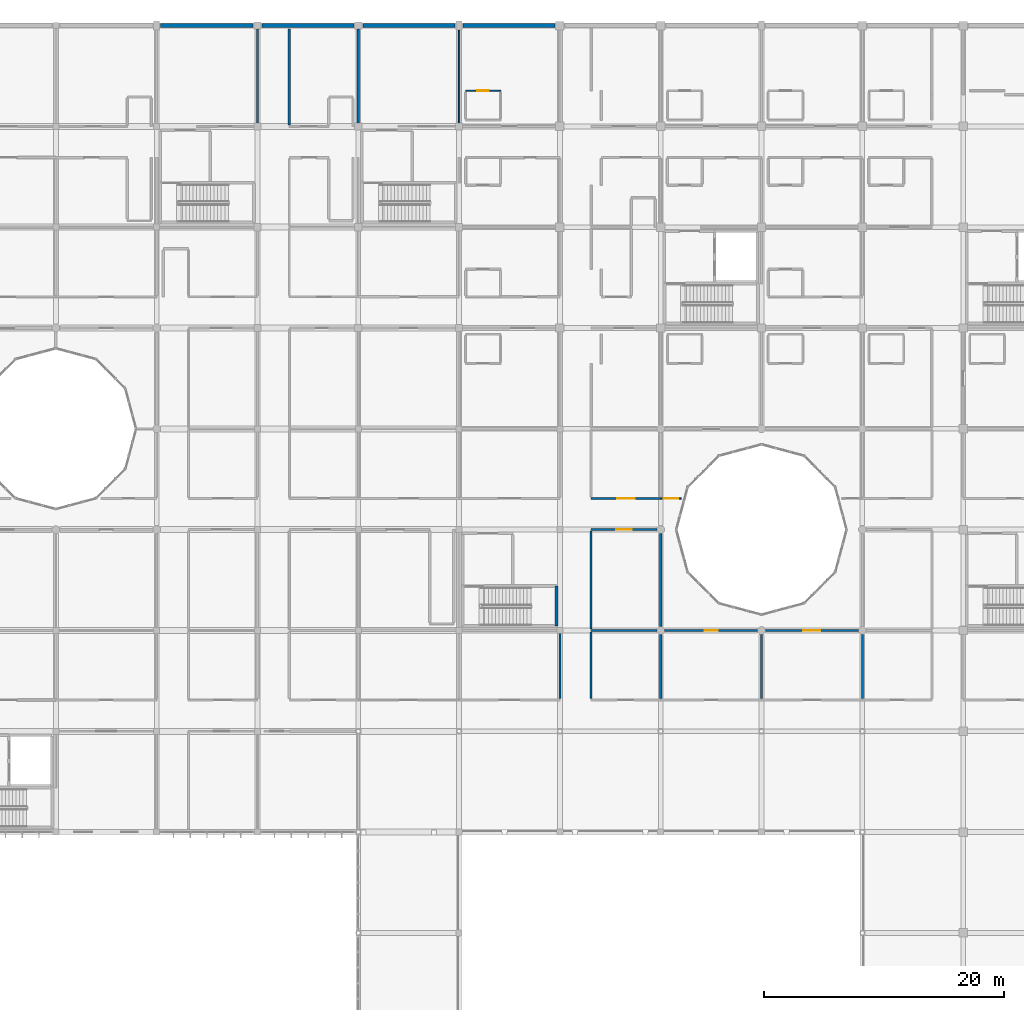
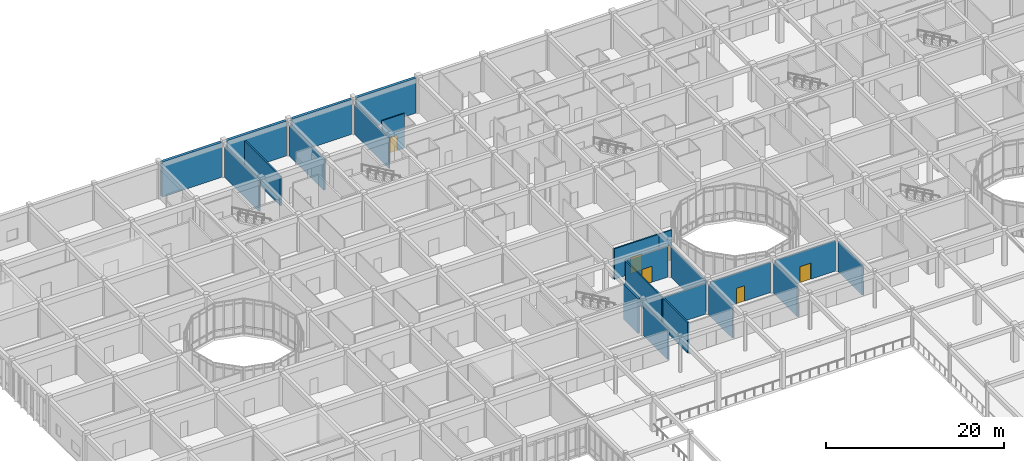
# One storey, part 101 of 134: 23 walls, 6 doors, 6 openings.
"""IFC4 building model written with IfcOpenShell, lengths in metres."""

from ifc_helpers import new_model, si_unit, direction, frame, frame_2d, origin, place, context, subcontext, project, spatial, rectangle, extrude, material, layer, layer_set, type_object, element, fill, save


model = new_model("IFC4")

# Units and contexts
model_context = context("Model", 3, precision=1e-05, world=origin(), true_north=direction((0.0, 1.0)))
body_context = subcontext(model_context, "Body", "Model", "MODEL_VIEW")
ifc_project = project(units=[si_unit("LENGTHUNIT", "METRE"), si_unit("AREAUNIT", "SQUARE_METRE"), si_unit("VOLUMEUNIT", "CUBIC_METRE"), si_unit("PLANEANGLEUNIT", "RADIAN"), si_unit("MASSUNIT", "GRAM", prefix="KILO")], contexts=[model_context])

# Site, building, storey
site_placement = place(None, origin())
site = spatial("IfcSite", under=ifc_project, at=site_placement, CompositionType="ELEMENT")
building_placement = place(site_placement, origin())
building = spatial("IfcBuilding", under=site, at=building_placement, Name="Bramfleet General Hospital", CompositionType="ELEMENT")
storey_placement = place(building_placement, frame((0.0, 0.0, 9.300048828125)))
storey = spatial("IfcBuildingStorey", under=building, at=storey_placement, Name="L02", CompositionType="ELEMENT", Elevation=9.300048828125)

# Walls
ifc_material_1 = material(Name="Concrete C35/45", Category="concrete")
ifc_layer_1 = layer(ifc_material_1, 0.360107421875, Name="WT-EW-02")
ifc_layer_set_1 = layer_set([ifc_layer_1], Name="Concrete C35/45")
wall_type_1 = type_object("IfcWallType", Name="WT-EW-02", PredefinedType="SOLIDWALL", material=ifc_layer_set_1)
wall_1_placement = place(storey_placement, frame((33.925048828125, 117.60009765625, 0.0), z_axis=(0.0, 0.0, 1.0), x_axis=(1.0, 0.0, 0.0)))
element("IfcWall", 1, at=wall_1_placement, inside=storey, type_object=wall_type_1, Name="L02 North REI 90-M Party Wall 201", PredefinedType="SOLIDWALL", context=body_context, shape_type="SweptSolid", body=[
    extrude(rectangle(XDim=7.699951171875, YDim=0.360107421875, at=frame_2d((3.85009765625, 0.0))), origin(), (0.0, 0.0, 1.0), 4.780029296875),
])
wall_2_placement = place(storey_placement, frame((42.375, 117.60009765625, 0.0), z_axis=(0.0, 0.0, 1.0), x_axis=(1.0, 0.0, 0.0)))
element("IfcWall", 2, at=wall_2_placement, inside=storey, type_object=wall_type_1, Name="L02 North REI 90-M Party Wall 202", PredefinedType="SOLIDWALL", context=body_context, shape_type="SweptSolid", body=[
    extrude(rectangle(XDim=7.64990234375, YDim=0.360107421875, at=frame_2d((3.824951171875, 0.0))), origin(), (0.0, 0.0, 1.0), 4.780029296875),
])
wall_3_placement = place(storey_placement, frame((50.77490234375, 117.60009765625, 0.0), z_axis=(0.0, 0.0, 1.0), x_axis=(1.0, 0.0, 0.0)))
element("IfcWall", 3, at=wall_3_placement, inside=storey, type_object=wall_type_1, Name="L02 North REI 90-M Party Wall 203", PredefinedType="SOLIDWALL", context=body_context, shape_type="SweptSolid", body=[
    extrude(rectangle(XDim=7.7001953125, YDim=0.360107421875, at=frame_2d((3.85009765625, 0.0))), origin(), (0.0, 0.0, 1.0), 4.780029296875),
])
wall_4_placement = place(storey_placement, frame((59.125, 117.60009765625, 0.0), z_axis=(0.0, 0.0, 1.0), x_axis=(1.0, 0.0, 0.0)))
element("IfcWall", 4, at=wall_4_placement, inside=storey, type_object=wall_type_1, Name="L02 North REI 90-M Party Wall 204", PredefinedType="SOLIDWALL", context=body_context, shape_type="SweptSolid", body=[
    extrude(rectangle(XDim=7.64990234375, YDim=0.360107421875, at=frame_2d((3.824951171875, 0.0))), origin(), (0.0, 0.0, 1.0), 4.780029296875),
])
ifc_layer_2 = layer(ifc_material_1, 0.219970703125, Name="WT-IW-01")
ifc_layer_set_2 = layer_set([ifc_layer_2], Name="Concrete C35/45")
wall_type_2 = type_object("IfcWallType", Name="WT-IW-01", PredefinedType="PARTITIONING", material=ifc_layer_set_2)
wall_5_placement = place(storey_placement, frame((44.64990234375, 109.31494140625, 0.0), z_axis=(0.0, 0.0, 1.0), x_axis=(0.0, 1.0, 0.0)))
element("IfcWall", 5, at=wall_5_placement, inside=storey, type_object=wall_type_2, Name="L02 Interior Partition IW-L02-2257", PredefinedType="PARTITIONING", context=body_context, shape_type="SweptSolid", body=[
    extrude(rectangle(XDim=8.005126953125, YDim=0.219970703125, at=frame_2d((4.00244140625, 0.0))), origin(), (0.0, 0.0, 1.0), 4.02001953125),
])
wall_6_placement = place(storey_placement, frame((50.39990234375, 109.4951171875, 0.0), z_axis=(0.0, 0.0, 1.0), x_axis=(0.0, 1.0, 0.0)))
element("IfcWall", 6, at=wall_6_placement, inside=storey, type_object=wall_type_2, Name="L02 Interior Partition IW-L02-2269", PredefinedType="PARTITIONING", context=body_context, shape_type="SweptSolid", body=[
    extrude(rectangle(XDim=7.809814453125, YDim=0.219970703125, at=frame_2d((3.90478515625, 0.0))), origin(), (0.0, 0.0, 1.0), 4.169921875),
])
ifc_layer_3 = layer(ifc_material_1, 0.179931640625, Name="WT-IW-04")
ifc_layer_set_3 = layer_set([ifc_layer_3], Name="Concrete C35/45")
wall_type_3 = type_object("IfcWallType", Name="WT-IW-04", PredefinedType="PARTITIONING", material=ifc_layer_set_3)
wall_7_placement = place(storey_placement, frame((69.800048828125, 67.199951171875, 0.0), z_axis=(0.0, 0.0, 1.0), x_axis=(1.0, 0.0, 0.0)))
element("IfcWall", 7, at=wall_7_placement, inside=storey, type_object=wall_type_3, Name="L02 Interior Partition IW-L02-2008", PredefinedType="PARTITIONING", context=body_context, shape_type="SweptSolid", body=[
    extrude(rectangle(XDim=5.47998046875, YDim=0.179931640625, at=frame_2d((2.739990234375, 0.0))), origin(), (0.0, 0.0, 1.0), 4.169921875),
])

# Wall, opening, door
wall_8_placement = place(storey_placement, frame((75.919921875, 67.199951171875, 0.0), z_axis=(0.0, 0.0, 1.0), x_axis=(1.0, 0.0, 0.0)))
wall_8 = element("IfcWall", 8, at=wall_8_placement, inside=storey, type_object=wall_type_3, Name="L02 Interior Partition IW-L02-2009", PredefinedType="PARTITIONING", context=body_context, shape_type="SweptSolid", body=[
    extrude(rectangle(XDim=7.760009765625, YDim=0.179931640625, at=frame_2d((3.8798828125, 0.0))), origin(), (0.0, 0.0, 1.0), 4.169921875),
])
opening_1_placement = place(wall_8_placement, frame((3.340087890625, 0.0, 0.0)))
opening_1 = element("IfcOpeningElement", 9, at=opening_1_placement, cuts=wall_8, Name="Opening D0918", PredefinedType="OPENING", context=body_context, shape_type="SweptSolid", body=[
    extrude(rectangle(XDim=1.080078125, YDim=2.1201171875, at=frame_2d((0.5400390625, 1.06005859375))), frame((0.0, 0.099853515625, 0.0), z_axis=(0.0, -1.0, 0.0), x_axis=(1.0, 0.0, 0.0)), (0.0, 0.0, 1.0), 0.199951171875),
])
ifc_material_2 = material(Name="Stainless steel and acoustic timber leaf", Category="steel")
door_type_1 = type_object("IfcDoorType", Name="DR-D-22", OperationType="NOTDEFINED", PredefinedType="DOOR", material=ifc_material_2)
door_1_placement = place(opening_1_placement, origin())
door_1 = element("IfcDoor", 10, at=door_1_placement, inside=storey, type_object=door_type_1, Name="Courtyard Waiting Lounge L02-0908 Door D0918", OperationType="SINGLE_SWING_LEFT", OverallHeight=2.1201171875, OverallWidth=1.080078125, PredefinedType="DOOR", context=body_context, shape_type="SweptSolid", body=[
    extrude(rectangle(XDim=1.080078125, YDim=2.1201171875, at=frame_2d((0.5400390625, 1.06005859375))), frame((0.0, 0.02490234375, 0.0), z_axis=(0.0, -1.0, 0.0), x_axis=(1.0, 0.0, 0.0)), (0.0, 0.0, 1.0), 0.050048828125),
])
fill(opening_1, door_1)

wall_9_placement = place(storey_placement, frame((84.320068359375, 67.199951171875, 0.0), z_axis=(0.0, 0.0, 1.0), x_axis=(1.0, 0.0, 0.0)))
wall_9 = element("IfcWall", 11, at=wall_9_placement, inside=storey, type_object=wall_type_3, Name="L02 Interior Partition IW-L02-2010", PredefinedType="PARTITIONING", context=body_context, shape_type="SweptSolid", body=[
    extrude(rectangle(XDim=7.760009765625, YDim=0.179931640625, at=frame_2d((3.8798828125, 0.0))), origin(), (0.0, 0.0, 1.0), 4.169921875),
])
opening_2_placement = place(wall_9_placement, frame((3.169921875, 0.0, 0.0)))
opening_2 = element("IfcOpeningElement", 12, at=opening_2_placement, cuts=wall_9, Name="Opening D0927", PredefinedType="OPENING", context=body_context, shape_type="SweptSolid", body=[
    extrude(rectangle(XDim=1.419921875, YDim=2.219970703125, at=frame_2d((0.7099609375, 1.10986328125))), frame((0.0, 0.099853515625, 0.0), z_axis=(0.0, -1.0, 0.0), x_axis=(1.0, 0.0, 0.0)), (0.0, 0.0, 1.0), 0.199951171875),
])
door_type_2 = type_object("IfcDoorType", Name="DR-D-31", OperationType="NOTDEFINED", PredefinedType="DOOR", material=ifc_material_2)
door_2_placement = place(opening_2_placement, origin())
door_2 = element("IfcDoor", 13, at=door_2_placement, inside=storey, type_object=door_type_2, Name="Courtyard Waiting Lounge L02-1008 Door D0927", OperationType="SINGLE_SWING_RIGHT", OverallHeight=2.219970703125, OverallWidth=1.419921875, PredefinedType="DOOR", context=body_context, shape_type="SweptSolid", body=[
    extrude(rectangle(XDim=1.419921875, YDim=2.219970703125, at=frame_2d((0.7099609375, 1.10986328125))), frame((0.0, 0.02490234375, 0.0), z_axis=(0.0, -1.0, 0.0), x_axis=(1.0, 0.0, 0.0)), (0.0, 0.0, 1.0), 0.050048828125),
])
fill(opening_2, door_2)

wall_10_placement = place(storey_placement, frame((69.800048828125, 75.60009765625, 0.0), z_axis=(0.0, 0.0, 1.0), x_axis=(1.0, 0.0, 0.0)))
wall_10 = element("IfcWall", 14, at=wall_10_placement, inside=storey, type_object=wall_type_3, Name="L02 Interior Partition IW-L02-2023", PredefinedType="PARTITIONING", context=body_context, shape_type="SweptSolid", body=[
    extrude(rectangle(XDim=5.47998046875, YDim=0.179931640625, at=frame_2d((2.739990234375, 0.0))), origin(), (0.0, 0.0, 1.0), 4.169921875),
])
opening_3_placement = place(wall_10_placement, frame((2.090087890625, 0.0, 0.0)))
opening_3 = element("IfcOpeningElement", 15, at=opening_3_placement, cuts=wall_10, Name="Opening D0911", PredefinedType="OPENING", context=body_context, shape_type="SweptSolid", body=[
    extrude(rectangle(XDim=1.300048828125, YDim=2.199951171875, at=frame_2d((0.64990234375, 1.10009765625))), frame((0.0, 0.099853515625, 0.0), z_axis=(0.0, -1.0, 0.0), x_axis=(1.0, 0.0, 0.0)), (0.0, 0.0, 1.0), 0.199951171875),
])
door_type_3 = type_object("IfcDoorType", Name="DR-D-15", OperationType="NOTDEFINED", PredefinedType="DOOR", material=ifc_material_2)
door_3_placement = place(opening_3_placement, origin())
door_3 = element("IfcDoor", 16, at=door_3_placement, inside=storey, type_object=door_type_3, Name="Interventional Cardiology Cath Lab L02-0808 Door D0911", OperationType="SINGLE_SWING_RIGHT", OverallHeight=2.199951171875, OverallWidth=1.300048828125, PredefinedType="DOOR", context=body_context, shape_type="SweptSolid", body=[
    extrude(rectangle(XDim=1.300048828125, YDim=2.199951171875, at=frame_2d((0.64990234375, 1.10009765625))), frame((0.0, 0.02490234375, 0.0), z_axis=(0.0, -1.0, 0.0), x_axis=(1.0, 0.0, 0.0)), (0.0, 0.0, 1.0), 0.050048828125),
])
fill(opening_3, door_3)

wall_11_placement = place(storey_placement, frame((69.800048828125, 78.199951171875, 0.0), z_axis=(0.0, 0.0, 1.0), x_axis=(1.0, 0.0, 0.0)))
wall_11 = element("IfcWall", 17, at=wall_11_placement, inside=storey, type_object=wall_type_3, Name="L02 Interior Partition IW-L02-2037", PredefinedType="PARTITIONING", context=body_context, shape_type="SweptSolid", body=[
    extrude(rectangle(XDim=5.800048828125, YDim=0.179931640625, at=frame_2d((2.89990234375, 0.0))), origin(), (0.0, 0.0, 1.0), 4.169921875),
])
opening_4_placement = place(wall_11_placement, frame((2.159912109375, 0.0, 0.0)))
opening_4 = element("IfcOpeningElement", 18, at=opening_4_placement, cuts=wall_11, Name="Opening D0912", PredefinedType="OPENING", context=body_context, shape_type="SweptSolid", body=[
    extrude(rectangle(XDim=1.47998046875, YDim=2.219970703125, at=frame_2d((0.739990234375, 1.10986328125))), frame((0.0, 0.099853515625, 0.0), z_axis=(0.0, -1.0, 0.0), x_axis=(1.0, 0.0, 0.0)), (0.0, 0.0, 1.0), 0.199951171875),
])
door_type_4 = type_object("IfcDoorType", Name="DR-D-16", OperationType="NOTDEFINED", PredefinedType="DOOR", material=ifc_material_2)
door_4_placement = place(opening_4_placement, origin())
door_4 = element("IfcDoor", 19, at=door_4_placement, inside=storey, type_object=door_type_4, Name="Interventional Cardiology Cath Lab L02-0809 Door D0912", OperationType="SINGLE_SWING_LEFT", OverallHeight=2.219970703125, OverallWidth=1.47998046875, PredefinedType="DOOR", context=body_context, shape_type="SweptSolid", body=[
    extrude(rectangle(XDim=1.47998046875, YDim=2.219970703125, at=frame_2d((0.739990234375, 1.10986328125))), frame((0.0, 0.02490234375, 0.0), z_axis=(0.0, -1.0, 0.0), x_axis=(1.0, 0.0, 0.0)), (0.0, 0.0, 1.0), 0.050048828125),
])
fill(opening_4, door_4)

# Walls
wall_12_placement = place(storey_placement, frame((67.199951171875, 61.514892578125, 0.0), z_axis=(0.0, 0.0, 1.0), x_axis=(0.0, 1.0, 0.0)))
element("IfcWall", 20, at=wall_12_placement, inside=storey, type_object=wall_type_3, Name="L02 Interior Partition IW-L02-2287", PredefinedType="PARTITIONING", context=body_context, shape_type="SweptSolid", body=[
    extrude(rectangle(XDim=5.440185546875, YDim=0.179931640625, at=frame_2d((2.72021484375, 0.0))), origin(), (0.0, 0.0, 1.0), 4.169921875),
])
wall_13_placement = place(storey_placement, frame((69.800048828125, 61.514892578125, 0.0), z_axis=(0.0, 0.0, 1.0), x_axis=(0.0, 1.0, 0.0)))
element("IfcWall", 21, at=wall_13_placement, inside=storey, type_object=wall_type_3, Name="L02 Interior Partition IW-L02-2293", PredefinedType="PARTITIONING", context=body_context, shape_type="SweptSolid", body=[
    extrude(rectangle(XDim=5.570068359375, YDim=0.179931640625, at=frame_2d((2.78515625, 0.0))), origin(), (0.0, 0.0, 1.0), 4.169921875),
])
wall_14_placement = place(storey_placement, frame((69.800048828125, 67.31494140625, 0.0), z_axis=(0.0, 0.0, 1.0), x_axis=(0.0, 1.0, 0.0)))
element("IfcWall", 22, at=wall_14_placement, inside=storey, type_object=wall_type_3, Name="L02 Interior Partition IW-L02-2294", PredefinedType="PARTITIONING", context=body_context, shape_type="SweptSolid", body=[
    extrude(rectangle(XDim=8.170166015625, YDim=0.179931640625, at=frame_2d((4.0849609375, 0.0))), origin(), (0.0, 0.0, 1.0), 4.169921875),
])
wall_15_placement = place(storey_placement, frame((75.60009765625, 61.514892578125, 0.0), z_axis=(0.0, 0.0, 1.0), x_axis=(0.0, 1.0, 0.0)))
element("IfcWall", 23, at=wall_15_placement, inside=storey, type_object=wall_type_3, Name="L02 Interior Partition IW-L02-2307", PredefinedType="PARTITIONING", context=body_context, shape_type="SweptSolid", body=[
    extrude(rectangle(XDim=5.364990234375, YDim=0.179931640625, at=frame_2d((2.6826171875, 0.0))), origin(), (0.0, 0.0, 1.0), 4.169921875),
])
wall_16_placement = place(storey_placement, frame((75.60009765625, 67.52001953125, 0.0), z_axis=(0.0, 0.0, 1.0), x_axis=(0.0, 1.0, 0.0)))
element("IfcWall", 24, at=wall_16_placement, inside=storey, type_object=wall_type_3, Name="L02 Interior Partition IW-L02-2308", PredefinedType="PARTITIONING", context=body_context, shape_type="SweptSolid", body=[
    extrude(rectangle(XDim=7.760009765625, YDim=0.179931640625, at=frame_2d((3.8798828125, 0.0))), origin(), (0.0, 0.0, 1.0), 4.169921875),
])
for number, where, z_axis, x_axis, name in (
    (25, (84.0, 61.514892578125, 0.0), (0.0, 0.0, 1.0), (0.0, 1.0, 0.0), "L02 Interior Partition IW-L02-2319"),
    (26, (92.39990234375, 61.514892578125, 0.0), (0.0, 0.0, 1.0), (0.0, 1.0, 0.0), "L02 Interior Partition IW-L02-2332"),
):
    element("IfcWall", number, at=place(storey_placement, frame(where, z_axis=z_axis, x_axis=x_axis)), inside=storey, type_object=wall_type_3, Name=name, PredefinedType="PARTITIONING", context=body_context, shape_type="SweptSolid", body=[
        extrude(rectangle(XDim=5.364990234375, YDim=0.179931640625, at=frame_2d((2.6826171875, 0.0))), origin(), (0.0, 0.0, 1.0), 4.169921875),
    ])
ifc_material_3 = material(Name="Gypsum plasterboard on acoustic steel studs", Category="steel")
ifc_layer_4 = layer(ifc_material_3, 0.159912109375, Name="WT-IW-06")
ifc_layer_set_4 = layer_set([ifc_layer_4], Name="Gypsum plasterboard on acoustic steel studs")
wall_type_4 = type_object("IfcWallType", Name="WT-IW-06", PredefinedType="PARTITIONING", material=ifc_layer_set_4)
wall_17_placement = place(storey_placement, frame((42.0, 109.4951171875, 0.0), z_axis=(0.0, 0.0, 1.0), x_axis=(0.0, 1.0, 0.0)))
element("IfcWall", 27, at=wall_17_placement, inside=storey, type_object=wall_type_4, Name="L02 Interior Partition IW-L02-2250", PredefinedType="PARTITIONING", context=body_context, shape_type="SweptSolid", body=[
    extrude(rectangle(XDim=7.809814453125, YDim=0.159912109375, at=frame_2d((3.90478515625, 0.0))), origin(), (0.0, 0.0, 1.0), 4.169921875),
])

# Wall, opening, door
ifc_layer_5 = layer(ifc_material_3, 0.1201171875, Name="WT-IW-10")
ifc_layer_set_5 = layer_set([ifc_layer_5], Name="Gypsum plasterboard on acoustic steel studs")
wall_type_5 = type_object("IfcWallType", Name="WT-IW-10", PredefinedType="PARTITIONING", material=ifc_layer_set_5)
wall_18_placement = place(storey_placement, frame((75.60009765625, 78.199951171875, 0.0), z_axis=(0.0, 0.0, 1.0), x_axis=(1.0, 0.0, 0.0)))
wall_18 = element("IfcWall", 28, at=wall_18_placement, inside=storey, type_object=wall_type_5, Name="L02 Interior Partition IW-L02-2038", PredefinedType="PARTITIONING", context=body_context, shape_type="SweptSolid", body=[
    extrude(rectangle(XDim=1.70654296875, YDim=0.1201171875, at=frame_2d((0.853271484375, 0.0))), origin(), (0.0, 0.0, 1.0), 4.169921875),
])
opening_5_placement = place(wall_18_placement, frame((0.243408203125, 0.0, 0.0)))
opening_5 = element("IfcOpeningElement", 29, at=opening_5_placement, cuts=wall_18, Name="Opening D0919", PredefinedType="OPENING", context=body_context, shape_type="SweptSolid", body=[
    extrude(rectangle(XDim=1.219970703125, YDim=2.179931640625, at=frame_2d((0.60986328125, 1.08984375))), frame((0.0, 0.070068359375, 0.0), z_axis=(0.0, -1.0, 0.0), x_axis=(1.0, 0.0, 0.0)), (0.0, 0.0, 1.0), 0.14013671875),
])
door_type_5 = type_object("IfcDoorType", Name="DR-D-23", OperationType="NOTDEFINED", PredefinedType="DOOR", material=ifc_material_2)
door_5_placement = place(opening_5_placement, origin())
door_5 = element("IfcDoor", 30, at=door_5_placement, inside=storey, type_object=door_type_5, Name="Courtyard Waiting Lounge L02-0909 Door D0919", OperationType="SINGLE_SWING_RIGHT", OverallHeight=2.179931640625, OverallWidth=1.219970703125, PredefinedType="DOOR", context=body_context, shape_type="SweptSolid", body=[
    extrude(rectangle(XDim=1.219970703125, YDim=2.179931640625, at=frame_2d((0.60986328125, 1.08984375))), frame((0.0, 0.02490234375, 0.0), z_axis=(0.0, -1.0, 0.0), x_axis=(1.0, 0.0, 0.0)), (0.0, 0.0, 1.0), 0.050048828125),
])
fill(opening_5, door_5)

wall_19_placement = place(storey_placement, frame((59.35009765625, 112.169921875, 0.0), z_axis=(0.0, 0.0, 1.0), x_axis=(1.0, 0.0, 0.0)))
wall_19 = element("IfcWall", 31, at=wall_19_placement, inside=storey, type_object=wall_type_5, Name="L02 Interior Partition IW-L02-2195", PredefinedType="PARTITIONING", context=body_context, shape_type="SweptSolid", body=[
    extrude(rectangle(XDim=2.89990234375, YDim=0.1201171875, at=frame_2d((1.449951171875, 0.0))), origin(), (0.0, 0.0, 1.0), 4.77001953125),
])
opening_6_placement = place(wall_19_placement, frame((0.97509765625, 0.0, 0.0)))
opening_6 = element("IfcOpeningElement", 32, at=opening_6_placement, cuts=wall_19, Name="Opening D0909", PredefinedType="OPENING", context=body_context, shape_type="SweptSolid", body=[
    extrude(rectangle(XDim=0.949951171875, YDim=2.10009765625, at=frame_2d((0.47509765625, 1.050048828125))), frame((0.0, 0.070068359375, 0.0), z_axis=(0.0, -1.0, 0.0), x_axis=(1.0, 0.0, 0.0)), (0.0, 0.0, 1.0), 0.14013671875),
])
door_type_6 = type_object("IfcDoorType", Name="DR-D-10", OperationType="NOTDEFINED", PredefinedType="DOOR", material=ifc_material_2)
door_6_placement = place(opening_6_placement, origin())
door_6 = element("IfcDoor", 33, at=door_6_placement, inside=storey, type_object=door_type_6, Name="Intensive Care En-Suite WC L02-0713 Door D0909", OperationType="SINGLE_SWING_LEFT", OverallHeight=2.10009765625, OverallWidth=0.949951171875, PredefinedType="DOOR", context=body_context, shape_type="SweptSolid", body=[
    extrude(rectangle(XDim=0.949951171875, YDim=2.10009765625, at=frame_2d((0.47509765625, 1.050048828125))), frame((0.0, 0.02490234375, 0.0), z_axis=(0.0, -1.0, 0.0), x_axis=(1.0, 0.0, 0.0)), (0.0, 0.0, 1.0), 0.050048828125),
])
fill(opening_6, door_6)

# Walls
wall_20_placement = place(storey_placement, frame((58.800048828125, 109.4951171875, 0.0), z_axis=(0.0, 0.0, 1.0), x_axis=(0.0, 1.0, 0.0)))
element("IfcWall", 34, at=wall_20_placement, inside=storey, type_object=wall_type_5, Name="L02 Interior Partition IW-L02-2278", PredefinedType="PARTITIONING", context=body_context, shape_type="SweptSolid", body=[
    extrude(rectangle(XDim=7.73486328125, YDim=0.1201171875, at=frame_2d((3.867431640625, 0.0))), origin(), (0.0, 0.0, 1.0), 4.169921875),
])
ifc_material_4 = material(Name="Concrete C40/50", Category="concrete")
ifc_layer_6 = layer(ifc_material_4, 0.239990234375, Name="WT-SW-240")
ifc_layer_set_6 = layer_set([ifc_layer_6], Name="Concrete C40/50")
wall_type_6 = type_object("IfcWallType", Name="WT-SW-240", PredefinedType="SHEAR", material=ifc_layer_set_6)
wall_21_placement = place(storey_placement, frame((66.919921875, 67.580078125, 0.0), z_axis=(0.0, 0.0, 1.0), x_axis=(0.0, 1.0, 0.0)))
element("IfcWall", 35, at=wall_21_placement, inside=storey, type_object=wall_type_6, Name="L02 C13 East Stair Shear Wall", PredefinedType="SHEAR", context=body_context, shape_type="SweptSolid", body=[
    extrude(rectangle(XDim=3.31982421875, YDim=0.239990234375, at=frame_2d((1.659912109375, 0.0))), origin(), (0.0, 0.0, 1.0), 4.780029296875),
])

save(model, "model.ifc")
